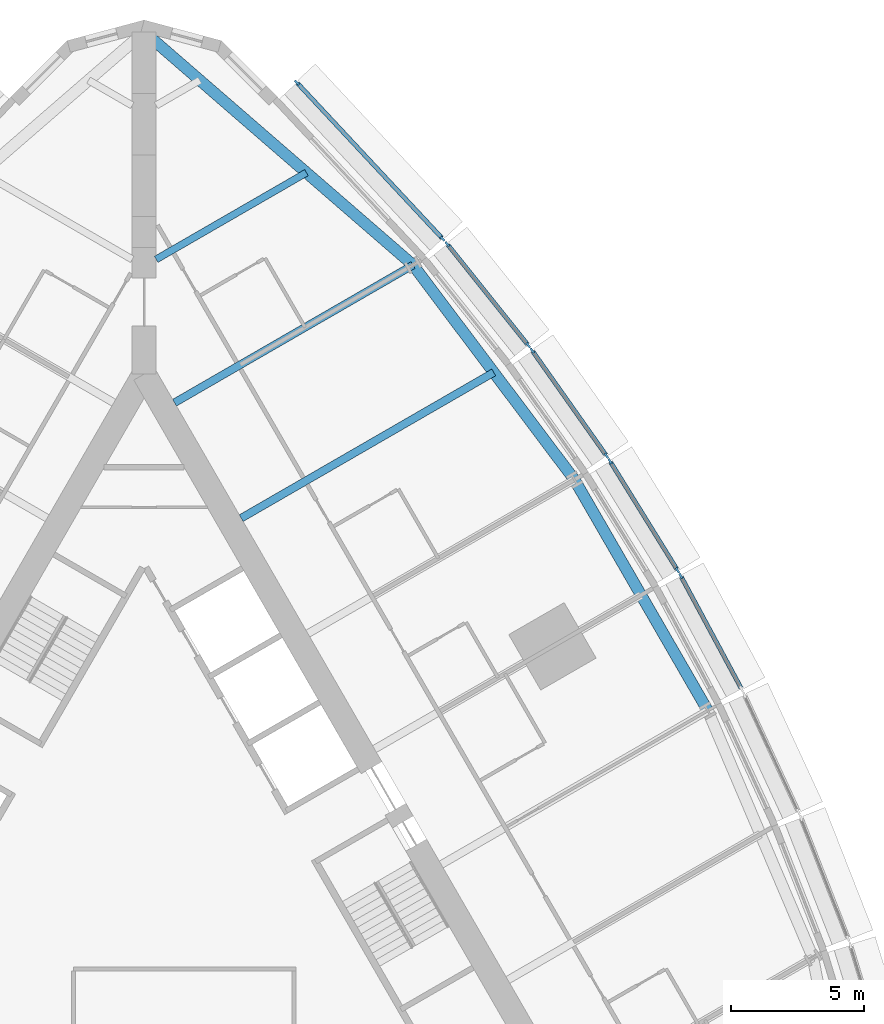
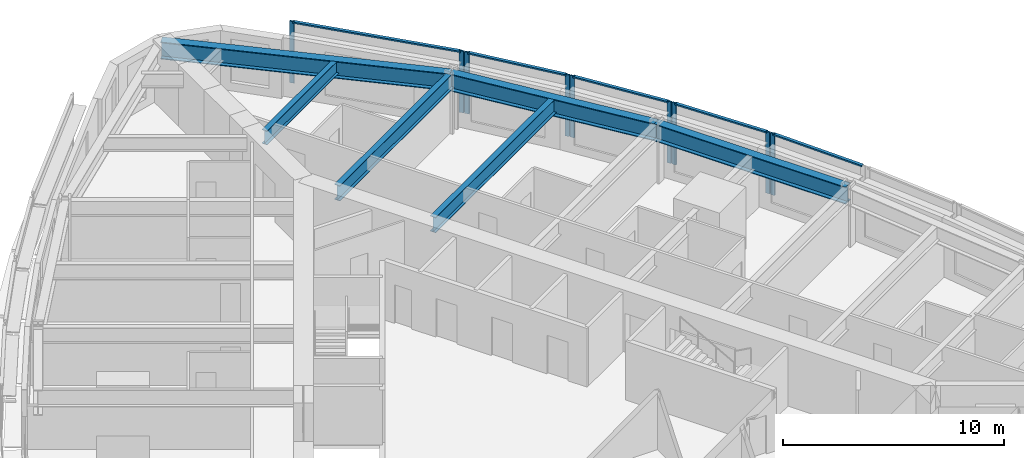
# One storey, part 5 of 14: 14 members, 6 beams, 5 elements without a shape of their own.
"""IFC4 building model written with IfcOpenShell, lengths in metres."""

from ifc_helpers import new_model, si_unit, direction, frame, origin, origin_2d, place, context, subcontext, project, spatial, rectangle, i_section, extrude, material, material_profile, profile_set, type_object, element, aggregate, save


model = new_model("IFC4")

# Units and contexts
model_context = context("Model", 3, precision=1e-05, world=origin(), true_north=direction((0.0, 1.0)))
body_context = subcontext(model_context, "Body", "Model", "MODEL_VIEW")
ifc_project = project(units=[si_unit("LENGTHUNIT", "METRE"), si_unit("AREAUNIT", "SQUARE_METRE"), si_unit("VOLUMEUNIT", "CUBIC_METRE"), si_unit("PLANEANGLEUNIT", "RADIAN"), si_unit("MASSUNIT", "GRAM", prefix="KILO")], contexts=[model_context])

# Site, building, storey
site_placement = place(None, origin())
site = spatial("IfcSite", under=ifc_project, at=site_placement, CompositionType="ELEMENT")
building_placement = place(site_placement, origin())
building = spatial("IfcBuilding", under=site, at=building_placement, Name="Trikona Tower", CompositionType="ELEMENT")
storey_placement = place(building_placement, frame((0.0, 0.0, 86.300048828125)))
storey = spatial("IfcBuildingStorey", under=building, at=storey_placement, Name="L22", CompositionType="ELEMENT", Elevation=86.300048828125)

# Curtain wall, member
ifc_material_1 = material(Name="Aluminium curtain wall system", Category="aluminium")
curtain_wall_type = type_object("IfcCurtainWallType", Name="Curtain wall DS1", PredefinedType="NOTDEFINED", material=ifc_material_1)
curtain_wall_1_placement = place(storey_placement, origin())
curtain_wall_1 = element("IfcCurtainWall", 1, at=curtain_wall_1_placement, inside=storey, type_object=curtain_wall_type, Name="Curtain wall DS1 L22", PredefinedType="NOTDEFINED")
ifc_material_2 = material(Name="Aluminium mullion, pale anodised", Category="aluminium")
ifc_material_profile_1 = material_profile(ifc_material_2, rectangle(XDim=0.080078125, YDim=0.219970703125, at=origin_2d()), Name="MUL-DS1")
ifc_profile_set_1 = profile_set([ifc_material_profile_1], Name="Aluminium mullion, pale anodised")
member_type_1 = type_object("IfcMemberType", Name="Mullion DS1 80x220", PredefinedType="MULLION", material=ifc_profile_set_1)
member_1_placement = place(storey_placement, frame((20.128662109375, 11.474365234375, 0.0), z_axis=(0.0, 0.0, 1.0), x_axis=(-0.880843080975, -0.473408350896, 0.0)))
member_1 = element("IfcMember", 2, at=member_1_placement, type_object=member_type_1, Name="CW-DS1 mullion 2", PredefinedType="MULLION", context=body_context, shape_type="SweptSolid", body=[
    extrude(rectangle(XDim=0.080078125, YDim=0.219970703125, at=origin_2d()), origin(), (0.0, 0.0, 1.0), 3.39990234375),
])

# Curtain wall, members
curtain_wall_2_placement = place(storey_placement, origin())
curtain_wall_2 = element("IfcCurtainWall", 3, at=curtain_wall_2_placement, inside=storey, type_object=curtain_wall_type, Name="Curtain wall DS1 L22", PredefinedType="NOTDEFINED")
member_2_placement = place(storey_placement, frame((20.00146484375, 11.69482421875, 0.0), z_axis=(0.0, 0.0, 1.0), x_axis=(-0.850410468941, -0.526119790842, 0.0)))
member_2 = element("IfcMember", 4, at=member_2_placement, type_object=member_type_1, Name="CW-DS1 mullion 1", PredefinedType="MULLION", context=body_context, shape_type="SweptSolid", body=[
    extrude(rectangle(XDim=0.080078125, YDim=0.219970703125, at=origin_2d()), origin(), (0.0, 0.0, 1.0), 3.39990234375),
])
member_3_placement = place(storey_placement, frame((17.474853515625, 15.77880859375, 0.0), z_axis=(0.0, 0.0, 1.0), x_axis=(-0.850410468941, -0.526119790842, 0.0)))
member_3 = element("IfcMember", 5, at=member_3_placement, type_object=member_type_1, Name="CW-DS1 mullion 2", PredefinedType="MULLION", context=body_context, shape_type="SweptSolid", body=[
    extrude(rectangle(XDim=0.080078125, YDim=0.219970703125, at=origin_2d()), origin(), (0.0, 0.0, 1.0), 3.39990234375),
])

curtain_wall_3_placement = place(storey_placement, origin())
curtain_wall_3 = element("IfcCurtainWall", 6, at=curtain_wall_3_placement, inside=storey, type_object=curtain_wall_type, Name="Curtain wall DS1 L22", PredefinedType="NOTDEFINED")
member_4_placement = place(storey_placement, frame((17.33447265625, 15.990966796875, 0.0), z_axis=(0.0, 0.0, 1.0), x_axis=(-0.816985393055, -0.576658362928, 0.0)))
member_4 = element("IfcMember", 7, at=member_4_placement, type_object=member_type_1, Name="CW-DS1 mullion 1", PredefinedType="MULLION", context=body_context, shape_type="SweptSolid", body=[
    extrude(rectangle(XDim=0.080078125, YDim=0.219970703125, at=origin_2d()), origin(), (0.0, 0.0, 1.0), 3.39990234375),
])
member_5_placement = place(storey_placement, frame((14.554443359375, 19.929443359375, 0.0), z_axis=(0.0, 0.0, 1.0), x_axis=(-0.816985393055, -0.576658362928, 0.0)))
member_5 = element("IfcMember", 8, at=member_5_placement, type_object=member_type_1, Name="CW-DS1 mullion 2", PredefinedType="MULLION", context=body_context, shape_type="SweptSolid", body=[
    extrude(rectangle(XDim=0.080078125, YDim=0.219970703125, at=origin_2d()), origin(), (0.0, 0.0, 1.0), 3.39990234375),
])

curtain_wall_4_placement = place(storey_placement, origin())
curtain_wall_4 = element("IfcCurtainWall", 9, at=curtain_wall_4_placement, inside=storey, type_object=curtain_wall_type, Name="Curtain wall DS1 L22", PredefinedType="NOTDEFINED")
member_6_placement = place(storey_placement, frame((14.40185546875, 20.13232421875, 0.0), z_axis=(0.0, 0.0, 1.0), x_axis=(-0.780937959679, -0.624608599951, 0.0)))
member_6 = element("IfcMember", 10, at=member_6_placement, type_object=member_type_1, Name="CW-DS1 mullion 1", PredefinedType="MULLION", context=body_context, shape_type="SweptSolid", body=[
    extrude(rectangle(XDim=0.080078125, YDim=0.219970703125, at=origin_2d()), origin(), (0.0, 0.0, 1.0), 3.39990234375),
])
member_7_placement = place(storey_placement, frame((11.36767578125, 23.926025390625, 0.0), z_axis=(0.0, 0.0, 1.0), x_axis=(-0.780937959679, -0.624608599951, 0.0)))
member_7 = element("IfcMember", 11, at=member_7_placement, type_object=member_type_1, Name="CW-DS1 mullion 2", PredefinedType="MULLION", context=body_context, shape_type="SweptSolid", body=[
    extrude(rectangle(XDim=0.080078125, YDim=0.219970703125, at=origin_2d()), origin(), (0.0, 0.0, 1.0), 3.39990234375),
])

curtain_wall_5_placement = place(storey_placement, origin())
curtain_wall_5 = element("IfcCurtainWall", 12, at=curtain_wall_5_placement, inside=storey, type_object=curtain_wall_type, Name="Curtain wall DS1 L22", PredefinedType="NOTDEFINED")
member_8_placement = place(storey_placement, frame((11.192138671875, 24.129150390625, 0.0), z_axis=(0.0, 0.0, 1.0), x_axis=(-0.731076639405, -0.682295351967, 0.0)))
member_8 = element("IfcMember", 13, at=member_8_placement, type_object=member_type_1, Name="CW-DS1 mullion 1", PredefinedType="MULLION", context=body_context, shape_type="SweptSolid", body=[
    extrude(rectangle(XDim=0.080078125, YDim=0.219970703125, at=origin_2d()), origin(), (0.0, 0.0, 1.0), 3.39990234375),
])
member_9_placement = place(storey_placement, frame((5.72607421875, 29.98583984375, 0.0), z_axis=(0.0, 0.0, 1.0), x_axis=(-0.731076639405, -0.682295351967, 0.0)))
member_9 = element("IfcMember", 14, at=member_9_placement, type_object=member_type_1, Name="CW-DS1 mullion 2", PredefinedType="MULLION", context=body_context, shape_type="SweptSolid", body=[
    extrude(rectangle(XDim=0.080078125, YDim=0.219970703125, at=origin_2d()), origin(), (0.0, 0.0, 1.0), 3.39990234375),
])

# Beams
ifc_material_3 = material(Name="Steel ASTM A992 Grade 50", Category="steel")
ifc_material_profile_2 = material_profile(ifc_material_3, i_section(OverallWidth=0.2666015625, OverallDepth=0.76953125, WebThickness=0.015625, FlangeThickness=0.025390625, at=origin_2d()), Name="W30X132")
ifc_profile_set_2 = profile_set([ifc_material_profile_2], Name="Steel ASTM A992 Grade 50")
beam_type_1 = type_object("IfcBeamType", Name="Steel beam W30x132 (wedge)", PredefinedType="BEAM", material=ifc_profile_set_2)
beam_1_placement = place(storey_placement, frame((0.449951171875, 23.353759765625, 2.85009765625), z_axis=(0.866022504693, 0.50000502134, 0.0), x_axis=(-0.50000502134, 0.866022504693, 0.0)))
element("IfcBeam", 15, at=beam_1_placement, inside=storey, type_object=beam_type_1, Name="Floor beam L23 F2 u20", PredefinedType="BEAM", context=body_context, shape_type="SweptSolid", body=[
    extrude(i_section(OverallWidth=0.2666015625, OverallDepth=0.76953125, WebThickness=0.015625, FlangeThickness=0.025390625, at=origin_2d()), origin(), (0.0, 0.0, 1.0), 6.5068359375),
])
ifc_material_4 = material(Name="Steel ASTM A992 Grade 50", Category="steel")
ifc_material_profile_3 = material_profile(ifc_material_4, i_section(OverallWidth=0.2919921875, OverallDepth=0.845703125, WebThickness=0.015380859375, FlangeThickness=0.0244140625, at=origin_2d()), Name="W33X141")
ifc_profile_set_3 = profile_set([ifc_material_profile_3], Name="Steel ASTM A992 Grade 50")
beam_type_2 = type_object("IfcBeamType", Name="Steel beam W33x141 (radial typ)", PredefinedType="BEAM", material=ifc_profile_set_3)
beam_2_placement = place(storey_placement, frame((3.6396484375, 13.6484375, 2.81201171875), z_axis=(0.866025348605, 0.500000095573, 0.0), x_axis=(-0.500000095573, 0.866025348605, 0.0)))
element("IfcBeam", 16, at=beam_2_placement, inside=storey, type_object=beam_type_2, Name="Floor beam L23 F2 u10", PredefinedType="BEAM", context=body_context, shape_type="SweptSolid", body=[
    extrude(i_section(OverallWidth=0.2919921875, OverallDepth=0.845703125, WebThickness=0.015380859375, FlangeThickness=0.0244140625, at=origin_2d()), origin(), (0.0, 0.0, 1.0), 10.935546875),
])
beam_3_placement = place(storey_placement, frame((1.1396484375, 17.978515625, 2.81201171875), z_axis=(0.866030471684, 0.499991222037, 0.0), x_axis=(-0.499991222037, 0.866030471684, 0.0)))
element("IfcBeam", 17, at=beam_3_placement, inside=storey, type_object=beam_type_2, Name="Floor beam L23 F2 u15", PredefinedType="BEAM", context=body_context, shape_type="SweptSolid", body=[
    extrude(i_section(OverallWidth=0.2919921875, OverallDepth=0.845703125, WebThickness=0.015380859375, FlangeThickness=0.0244140625, at=origin_2d()), origin(), (0.0, 0.0, 1.0), 10.326904296875),
])
ifc_material_5 = material(Name="Steel ASTM A992 Grade 50", Category="steel")
ifc_material_profile_4 = material_profile(ifc_material_5, i_section(OverallWidth=0.424072265625, OverallDepth=0.947509765625, WebThickness=0.02392578125, FlangeThickness=0.042724609375, at=origin_2d()), Name="W36X302")
ifc_profile_set_4 = profile_set([ifc_material_profile_4], Name="Steel ASTM A992 Grade 50")
beam_type_3 = type_object("IfcBeamType", Name="Steel beam W36x302 (spandrel)", PredefinedType="SPANDREL", material=ifc_profile_set_4)
beam_4_placement = place(storey_placement, frame((21.13720703125, 6.43017578125, 2.76123046875), z_axis=(-0.500004234368, 0.866022959057, 0.0), x_axis=(-0.866022959057, -0.500004234368, 0.0)))
element("IfcBeam", 18, at=beam_4_placement, inside=storey, type_object=beam_type_3, Name="Spandrel beam L23 F2-3", PredefinedType="SPANDREL", context=body_context, shape_type="SweptSolid", body=[
    extrude(i_section(OverallWidth=0.424072265625, OverallDepth=0.947509765625, WebThickness=0.02392578125, FlangeThickness=0.042724609375, at=origin_2d()), origin(), (0.0, 0.0, 1.0), 10.0),
])
beam_5_placement = place(storey_placement, frame((16.13720703125, 15.09033203125, 2.76123046875), z_axis=(-0.600988344191, 0.799257787042, 0.0), x_axis=(-0.799257787042, -0.600988344191, 0.0)))
element("IfcBeam", 19, at=beam_5_placement, inside=storey, type_object=beam_type_3, Name="Spandrel beam L23 F2-4", PredefinedType="SPANDREL", context=body_context, shape_type="SweptSolid", body=[
    extrude(i_section(OverallWidth=0.424072265625, OverallDepth=0.947509765625, WebThickness=0.02392578125, FlangeThickness=0.042724609375, at=origin_2d()), origin(), (0.0, 0.0, 1.0), 10.07373046875),
])
beam_6_placement = place(storey_placement, frame((10.0830078125, 23.141845703125, 2.76123046875), z_axis=(-0.755646822726, 0.654979296851, 0.0), x_axis=(-0.654979296851, -0.755646822726, 0.0)))
element("IfcBeam", 20, at=beam_6_placement, inside=storey, type_object=beam_type_3, Name="Spandrel beam L23 F2-5", PredefinedType="SPANDREL", context=body_context, shape_type="SweptSolid", body=[
    extrude(i_section(OverallWidth=0.424072265625, OverallDepth=0.947509765625, WebThickness=0.02392578125, FlangeThickness=0.042724609375, at=origin_2d()), origin(), (0.0, 0.0, 1.0), 13.343505859375),
])

# Member
ifc_material_6 = material(Name="Aluminium transom, pale anodised", Category="aluminium")
ifc_material_profile_5 = material_profile(ifc_material_6, rectangle(XDim=0.159912109375, YDim=0.080078125, at=origin_2d()), Name="TRN-DS1")
ifc_profile_set_5 = profile_set([ifc_material_profile_5], Name="Aluminium transom, pale anodised")
member_type_2 = type_object("IfcMemberType", Name="Transom DS1 80x160", PredefinedType="USERDEFINED", material=ifc_profile_set_5)
member_10_placement = place(storey_placement, frame((22.38330078125, 7.279541015625, 3.35986328125), z_axis=(-0.473427569755, 0.880832751546, 0.0), x_axis=(-0.880832751546, -0.473427569755, 0.0)))
member_10 = element("IfcMember", 21, at=member_10_placement, type_object=member_type_2, Name="CW-DS1 transom 1.1", ObjectType="TRANSOM", PredefinedType="USERDEFINED", context=body_context, shape_type="SweptSolid", body=[
    extrude(rectangle(XDim=0.159912109375, YDim=0.080078125, at=origin_2d()), origin(), (0.0, 0.0, 1.0), 4.72216796875),
])

aggregate(curtain_wall_1, [member_1, member_10])

member_11_placement = place(storey_placement, frame((19.980224609375, 11.728759765625, 3.35986328125), z_axis=(-0.526080502257, 0.850434774186, 0.0), x_axis=(-0.850434774186, -0.526080502257, 0.0)))
member_11 = element("IfcMember", 22, at=member_11_placement, type_object=member_type_2, Name="CW-DS1 transom 1.1", ObjectType="TRANSOM", PredefinedType="USERDEFINED", context=body_context, shape_type="SweptSolid", body=[
    extrude(rectangle(XDim=0.159912109375, YDim=0.080078125, at=origin_2d()), origin(), (0.0, 0.0, 1.0), 4.722412109375),
])

aggregate(curtain_wall_2, [member_2, member_3, member_11])

member_12_placement = place(storey_placement, frame((17.311279296875, 16.023681640625, 3.35986328125), z_axis=(-0.57664478015, 0.816994980111, 0.0), x_axis=(-0.816994980111, -0.57664478015, 0.0)))
member_12 = element("IfcMember", 23, at=member_12_placement, type_object=member_type_2, Name="CW-DS1 transom 1.1", ObjectType="TRANSOM", PredefinedType="USERDEFINED", context=body_context, shape_type="SweptSolid", body=[
    extrude(rectangle(XDim=0.159912109375, YDim=0.080078125, at=origin_2d()), origin(), (0.0, 0.0, 1.0), 4.740478515625),
])

aggregate(curtain_wall_3, [member_4, member_5, member_12])

member_13_placement = place(storey_placement, frame((14.376953125, 20.16357421875, 3.35986328125), z_axis=(-0.624589103832, 0.780953552636, 0.0), x_axis=(-0.780953552636, -0.624589103832, 0.0)))
member_13 = element("IfcMember", 24, at=member_13_placement, type_object=member_type_2, Name="CW-DS1 transom 1.1", ObjectType="TRANSOM", PredefinedType="USERDEFINED", context=body_context, shape_type="SweptSolid", body=[
    extrude(rectangle(XDim=0.159912109375, YDim=0.080078125, at=origin_2d()), origin(), (0.0, 0.0, 1.0), 4.77783203125),
])

aggregate(curtain_wall_4, [member_6, member_7, member_13])

member_14_placement = place(storey_placement, frame((11.164794921875, 24.158203125, 3.35986328125), z_axis=(-0.682290830921, 0.731080858758, 0.0), x_axis=(-0.731080858758, -0.682290830921, 0.0)))
member_14 = element("IfcMember", 25, at=member_14_placement, type_object=member_type_2, Name="CW-DS1 transom 1.1", ObjectType="TRANSOM", PredefinedType="USERDEFINED", context=body_context, shape_type="SweptSolid", body=[
    extrude(rectangle(XDim=0.159912109375, YDim=0.080078125, at=origin_2d()), origin(), (0.0, 0.0, 1.0), 7.93115234375),
])

aggregate(curtain_wall_5, [member_8, member_9, member_14])

save(model, "model.ifc")
